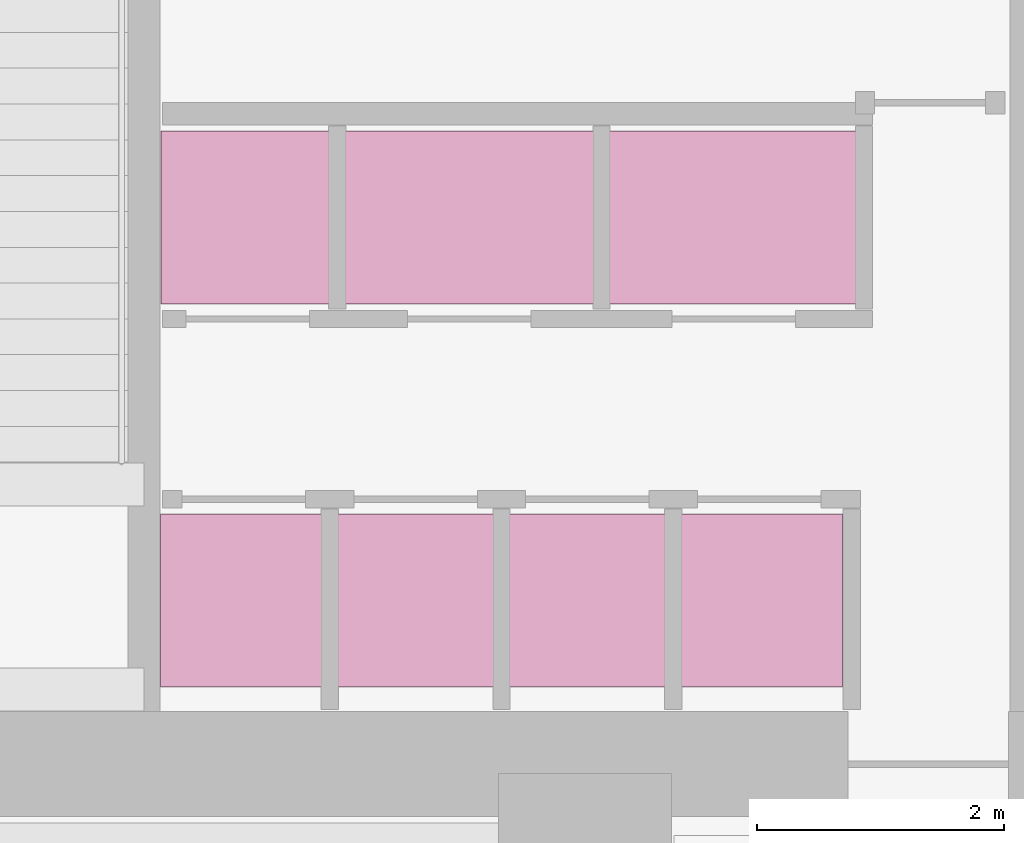
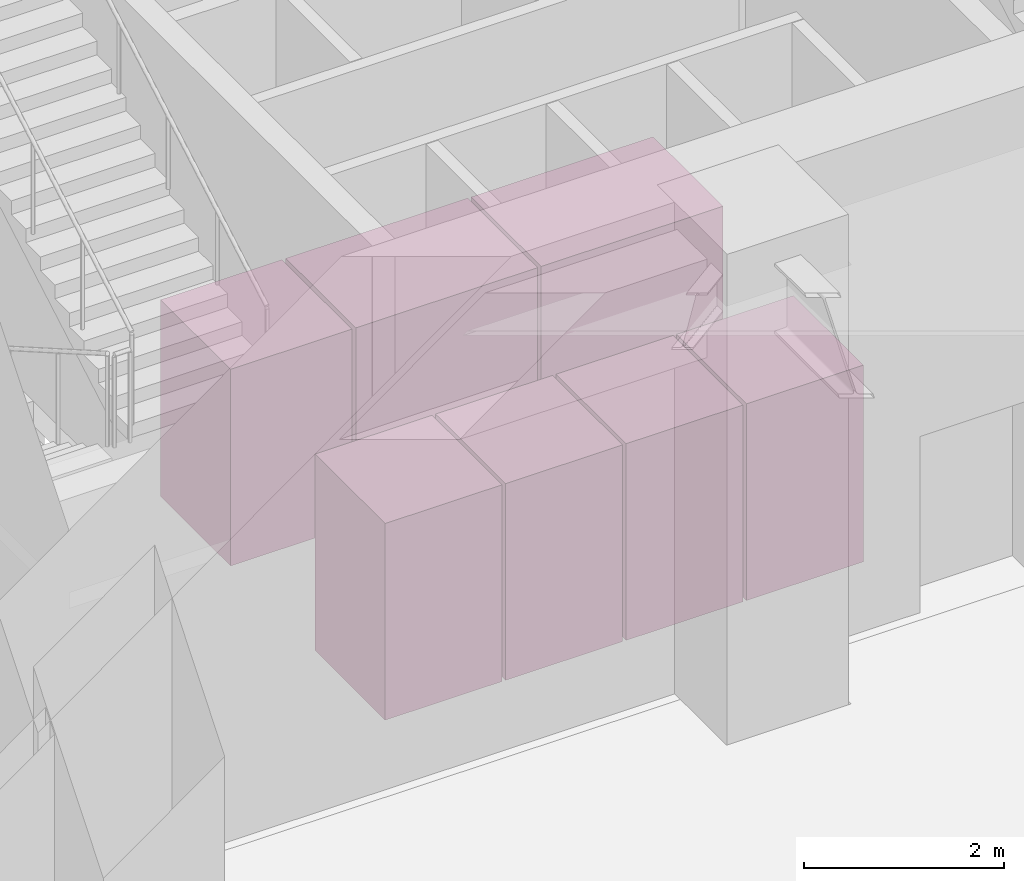
# One storey, part 13 of 13: 7 transport elements.
"""IFC4 building model written with IfcOpenShell, lengths in metres."""

import ifcopenshell
import ifcopenshell.guid

model = None  # the IFC model being written
_history = None  # IfcOwnerHistory: only IFC2X3 demands one
_inside = {}  # id of a spatial element -> (the spatial element, [elements in it])
_under = {}  # id of a project, library or spatial element -> (it, [spatial elements below it])
_declared = {}  # id of a project -> (the project, [libraries it declares])
_typed = {}  # id of a type object -> (the type object, [elements of that type])
_made_of = {}  # id of a material, layer set ... -> (it, [elements and type objects made of it])


def new_model(schema):
    """Start an empty IFC model of exactly this schema.

    Asked for "IFC4X3", IfcOpenShell would pick the latest addendum, in which some entities
    have other attributes; the version numbers below select the first issue.
    IFC2X3 requires an IfcOwnerHistory on every rooted entity: one is made here for all.
    """
    global model, _history
    if schema == "IFC4X3":
        model = ifcopenshell.file(schema_version=(4, 3, 0, 0))
    else:
        model = ifcopenshell.file(schema=schema)
    _inside.clear()
    _under.clear()
    _declared.clear()
    _typed.clear()
    _made_of.clear()
    _history = None
    if model.schema == "IFC2X3":
        org = make("IfcOrganization", Name="unknown")
        user = make(
            "IfcPersonAndOrganization",
            ThePerson=make("IfcPerson", FamilyName="unknown"),
            TheOrganization=org,
        )
        app = make(
            "IfcApplication",
            ApplicationDeveloper=org,
            Version="unknown",
            ApplicationFullName="unknown",
            ApplicationIdentifier="unknown",
        )
        _history = make(
            "IfcOwnerHistory",
            OwningUser=user,
            OwningApplication=app,
            ChangeAction="ADDED",
            CreationDate=0,
        )
    return model


def make(cls, **values):
    """One entity of the class cls with the attributes given. An attribute that is None is left unset."""
    return model.create_entity(
        cls, **{name: value for name, value in values.items() if value is not None}
    )


def rooted(cls, **values):
    """An entity with a GlobalId (a new one), such as an element, a storey or a relation."""
    return make(cls, GlobalId=ifcopenshell.guid.new(), OwnerHistory=_history, **values)


def si_unit(unit_type, name, prefix=None):
    """IfcSIUnit, for example si_unit("LENGTHUNIT", "METRE", prefix="MILLI")."""
    return make("IfcSIUnit", UnitType=unit_type, Prefix=prefix, Name=name)


def assignment(units):
    """IfcUnitAssignment: the units of a project."""
    return None if units is None else make("IfcUnitAssignment", Units=units)


def point(xyz):
    """IfcCartesianPoint."""
    return None if xyz is None else make("IfcCartesianPoint", Coordinates=xyz)


def direction(xyz):
    """IfcDirection."""
    return None if xyz is None else make("IfcDirection", DirectionRatios=xyz)


def frame(location, z_axis=None, x_axis=None):
    """IfcAxis2Placement3D, a coordinate frame: its origin and axes. An axis left out is left unset."""
    return make(
        "IfcAxis2Placement3D",
        Location=point(location),
        Axis=direction(z_axis),
        RefDirection=direction(x_axis),
    )


def frame_2d(location, x_axis=None):
    """IfcAxis2Placement2D, a coordinate frame in the plane: its origin and x axis."""
    return make(
        "IfcAxis2Placement2D", Location=point(location), RefDirection=direction(x_axis)
    )


def origin():
    """The frame at (0, 0, 0) with its axes left unset."""
    return frame((0.0, 0.0, 0.0))


def origin_2d():
    """The frame at (0, 0) in the plane with its x axis left unset."""
    return frame_2d((0.0, 0.0))


def place(relative_to, where):
    """IfcLocalPlacement: puts the frame where relative to a parent placement (None: the world)."""
    return make(
        "IfcLocalPlacement", PlacementRelTo=relative_to, RelativePlacement=where
    )


def context(
    kind, dimensions, precision=None, world=None, true_north=None, identifier=None
):
    """IfcGeometricRepresentationContext, for example the 3D "Model" context."""
    return make(
        "IfcGeometricRepresentationContext",
        ContextIdentifier=identifier,
        ContextType=kind,
        CoordinateSpaceDimension=dimensions,
        Precision=precision,
        WorldCoordinateSystem=world,
        TrueNorth=true_north,
    )


def subcontext(parent, identifier, kind, view, scale=None):
    """IfcGeometricRepresentationSubContext, for example "Body" below "Model"."""
    return make(
        "IfcGeometricRepresentationSubContext",
        ContextIdentifier=identifier,
        ContextType=kind,
        ParentContext=parent,
        TargetScale=scale,
        TargetView=view,
    )


def project(units=None, contexts=None):
    """IfcProject with its units and contexts."""
    return rooted(
        "IfcProject",
        Name="project",
        RepresentationContexts=contexts,
        UnitsInContext=assignment(units),
    )


def spatial(cls, under=None, at=None, **own):
    """A site, building, storey or space (cls), placed at a placement, below another one or the project."""
    s = rooted(cls, ObjectPlacement=at, **own)
    if under is not None:
        _under.setdefault(under.id(), (under, []))[1].append(s)
    return s


def profile(cls, at=None, kind="AREA", **sizes):
    """A parametric profile (cls). Its sizes go by their IFC names, for example OverallWidth=200.0."""
    return make(cls, ProfileType=kind, Position=at, **sizes)


def rectangle(**sizes):
    """IfcRectangleProfileDef."""
    return profile("IfcRectangleProfileDef", **sizes)


def extrude(swept, where, along, depth):
    """IfcExtrudedAreaSolid: the profile swept, set in the frame where, extruded along a direction by depth."""
    return make(
        "IfcExtrudedAreaSolid",
        SweptArea=swept,
        Position=where,
        ExtrudedDirection=direction(along),
        Depth=depth,
    )


def shape(context_of_items, identifier, shape_type, items):
    """IfcShapeRepresentation: the items that make up one representation, for example the "Body"."""
    return make(
        "IfcShapeRepresentation",
        ContextOfItems=context_of_items,
        RepresentationIdentifier=identifier,
        RepresentationType=shape_type,
        Items=items,
    )


def source(mapping_origin, context_of_items, identifier, shape_type, items):
    """IfcRepresentationMap: a shape defined once, which mapped items show again and again."""
    return make(
        "IfcRepresentationMap",
        MappingOrigin=mapping_origin,
        MappedRepresentation=shape(context_of_items, identifier, shape_type, items),
    )


def transform(
    local_origin,
    x_axis=None,
    y_axis=None,
    z_axis=None,
    scale=None,
    scale2=None,
    scale3=None,
    uniform=True,
):
    """IfcCartesianTransformationOperator3D, or its non-uniform kind. x_axis, y_axis, z_axis: its Axis1, 2, 3."""
    if uniform:
        return make(
            "IfcCartesianTransformationOperator3D",
            Axis1=direction(x_axis),
            Axis2=direction(y_axis),
            LocalOrigin=point(local_origin),
            Scale=scale,
            Axis3=direction(z_axis),
        )
    return make(
        "IfcCartesianTransformationOperator3DnonUniform",
        Axis1=direction(x_axis),
        Axis2=direction(y_axis),
        LocalOrigin=point(local_origin),
        Scale=scale,
        Axis3=direction(z_axis),
        Scale2=scale2,
        Scale3=scale3,
    )


def mapped(mapping_source, mapping_target):
    """IfcMappedItem: shows the shape of a source again, moved by a transform."""
    return make(
        "IfcMappedItem", MappingSource=mapping_source, MappingTarget=mapping_target
    )


def material(Name=None, Category=None):
    """IfcMaterial."""
    return make("IfcMaterial", Name=Name, Category=Category)


def made_of(thing, what):
    """Note that an element or type object is made of a material, layer set ...; save() writes the relation."""
    if what is not None:
        _made_of.setdefault(what.id(), (what, []))[1].append(thing)
    return thing


def type_object(cls, material=None, **own):
    """A type object (cls), such as IfcWallType, which elements share."""
    return made_of(rooted(cls, **own), material)


def element(
    cls,
    number,
    at=None,
    inside=None,
    cuts=None,
    type_object=None,
    material=None,
    context=None,
    identifier="Body",
    shape_type=None,
    held_by="IfcProductDefinitionShape",
    body=None,
    shapes=None,
    **own,
):
    """One element of the class cls, such as IfcWall. Its Tag is "e" and its number.

    at: its placement. inside: the storey or other place that contains it. cuts: it is an
    opening in that element (IfcRelVoidsElement). A single representation is given by context,
    identifier, shape_type and body (its items); several are given by shapes. held_by: the class
    of the entity that holds the representations. save() writes the other relations.
    """
    e = rooted(cls, Tag="e%d" % number, ObjectPlacement=at, **own)
    if body is not None:
        shapes = [shape(context, identifier, shape_type, body)]
    if shapes is not None:
        e.Representation = make(held_by, Representations=shapes)
    if inside is not None:
        _inside.setdefault(inside.id(), (inside, []))[1].append(e)
    if cuts is not None:
        rooted(
            "IfcRelVoidsElement", RelatingBuildingElement=cuts, RelatedOpeningElement=e
        )
    if type_object is not None:
        _typed.setdefault(type_object.id(), (type_object, []))[1].append(e)
    return made_of(e, material)


def aggregate(whole, parts):
    """IfcRelAggregates: a whole, such as a stair, and the parts it consists of."""
    return rooted("IfcRelAggregates", RelatingObject=whole, RelatedObjects=parts)


def save(model, path):
    """Write the relations noted so far, then the file.

    IfcRelAggregates (storeys below a building ...), IfcRelContainedInSpatialStructure (elements
    in a storey), IfcRelDefinesByType, IfcRelAssociatesMaterial and IfcRelDeclares: one each for
    every whole, place, type object, material and project.
    """
    for whole, parts in _under.values():
        aggregate(whole, parts)
    for where, things in _inside.values():
        rooted(
            "IfcRelContainedInSpatialStructure",
            RelatedElements=things,
            RelatingStructure=where,
        )
    for kind, things in _typed.values():
        rooted("IfcRelDefinesByType", RelatedObjects=things, RelatingType=kind)
    for what, things in _made_of.values():
        rooted("IfcRelAssociatesMaterial", RelatedObjects=things, RelatingMaterial=what)
    for by, libraries in _declared.values():
        rooted("IfcRelDeclares", RelatingContext=by, RelatedDefinitions=libraries)
    model.write(path)


model = new_model("IFC4")

# Units and contexts
model_context = context("Model", 3, precision=1e-05, world=origin(), true_north=direction((0.0, 1.0)))
body_context = subcontext(model_context, "Body", "Model", "MODEL_VIEW")
ifc_project = project(units=[si_unit("LENGTHUNIT", "METRE"), si_unit("AREAUNIT", "SQUARE_METRE"), si_unit("VOLUMEUNIT", "CUBIC_METRE"), si_unit("PLANEANGLEUNIT", "RADIAN"), si_unit("MASSUNIT", "GRAM", prefix="KILO")], contexts=[model_context])

# Site, building, storey
site_placement = place(None, origin())
site = spatial("IfcSite", under=ifc_project, at=site_placement, CompositionType="ELEMENT")
building_placement = place(site_placement, origin())
building = spatial("IfcBuilding", under=site, at=building_placement, Name="Calvemar Wedge Station Tower", CompositionType="ELEMENT")
storey_placement = place(building_placement, origin())
storey = spatial("IfcBuildingStorey", under=building, at=storey_placement, Name="L01", CompositionType="ELEMENT", Elevation=0.0)

# Transport elements
ifc_material = material(Name="Anodised aluminium 6063-T6", Category="aluminium")
transport_element_type_1 = type_object("IfcTransportElementType", Name="LIFT-PAX-1350x1400", PredefinedType="ELEVATOR", material=ifc_material)
shared_shape_1 = source(origin(), body_context, "Body", "SweptSolid", [
    extrude(rectangle(XDim=1.35009765625, YDim=1.39990234375, at=origin_2d()), origin(), (0.0, 0.0, 1.0), 2.39990234375),
])
for number, where, z_axis, x_axis, name in (
    (1, (21.0400390625, 35.10009765625, 0.0), (0.0, 0.0, 1.0), (1.0, 0.0, 0.0), "Elevator OL-01 Car"),
    (2, (22.429931640625, 35.10009765625, 0.0), (0.0, 0.0, 1.0), (1.0, 0.0, 0.0), "Elevator OL-02 Car"),
    (3, (23.820068359375, 35.10009765625, 0.0), (0.0, 0.0, 1.0), (1.0, 0.0, 0.0), "Elevator HL-01 Car"),
    (4, (25.2099609375, 35.10009765625, 0.0), (0.0, 0.0, 1.0), (1.0, 0.0, 0.0), "Elevator HL-02 Car"),
):
    element("IfcTransportElement", number, at=place(storey_placement, frame(where, z_axis=z_axis, x_axis=x_axis)), inside=storey, type_object=transport_element_type_1, Name=name, PredefinedType="ELEVATOR", context=body_context, shape_type="MappedRepresentation", body=[
        mapped(shared_shape_1, transform((0.0, 0.0, 0.0), scale=1.0)),
    ])
transport_element_type_2 = type_object("IfcTransportElementType", Name="LIFT-PAX-1400x1400", PredefinedType="ELEVATOR", material=ifc_material)
shared_shape_2 = source(origin(), body_context, "Body", "SweptSolid", [
    extrude(rectangle(XDim=1.39990234375, YDim=1.39990234375, at=origin_2d()), origin(), (0.0, 0.0, 1.0), 2.39990234375),
])
transport_element_placement = place(storey_placement, frame((21.070068359375, 38.199951171875, 0.0), z_axis=(0.0, 0.0, 1.0), x_axis=(1.0, 0.0, 0.0)))
element("IfcTransportElement", 5, at=transport_element_placement, inside=storey, type_object=transport_element_type_2, Name="Elevator RH-01 Car", PredefinedType="ELEVATOR", context=body_context, shape_type="MappedRepresentation", body=[
    mapped(shared_shape_2, transform((0.0, 0.0, 0.0), scale=1.0)),
])
transport_element_type_3 = type_object("IfcTransportElementType", Name="LIFT-PAX-2100x1400", PredefinedType="ELEVATOR", material=ifc_material)
shared_shape_3 = source(origin(), body_context, "Body", "SweptSolid", [
    extrude(rectangle(XDim=2.10009765625, YDim=1.39990234375, at=origin_2d()), origin(), (0.0, 0.0, 1.0), 2.39990234375),
])
for number, where, z_axis, x_axis, name in (
    (6, (22.864990234375, 38.199951171875, 0.0), (0.0, 0.0, 1.0), (1.0, 0.0, 0.0), "Elevator RH-02 Car"),
    (7, (25.0048828125, 38.199951171875, 0.0), (0.0, 0.0, 1.0), (1.0, 0.0, 0.0), "Elevator RH-03 Car"),
):
    element("IfcTransportElement", number, at=place(storey_placement, frame(where, z_axis=z_axis, x_axis=x_axis)), inside=storey, type_object=transport_element_type_3, Name=name, PredefinedType="ELEVATOR", context=body_context, shape_type="MappedRepresentation", body=[
        mapped(shared_shape_3, transform((0.0, 0.0, 0.0), scale=1.0)),
    ])

save(model, "model.ifc")
